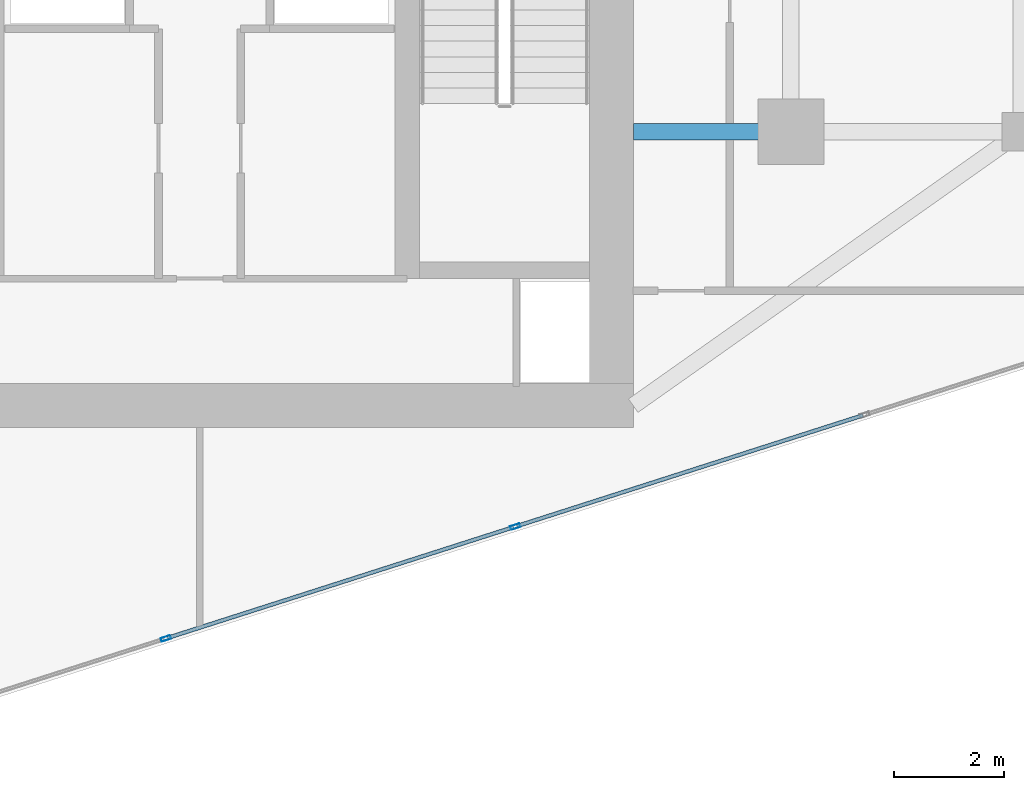
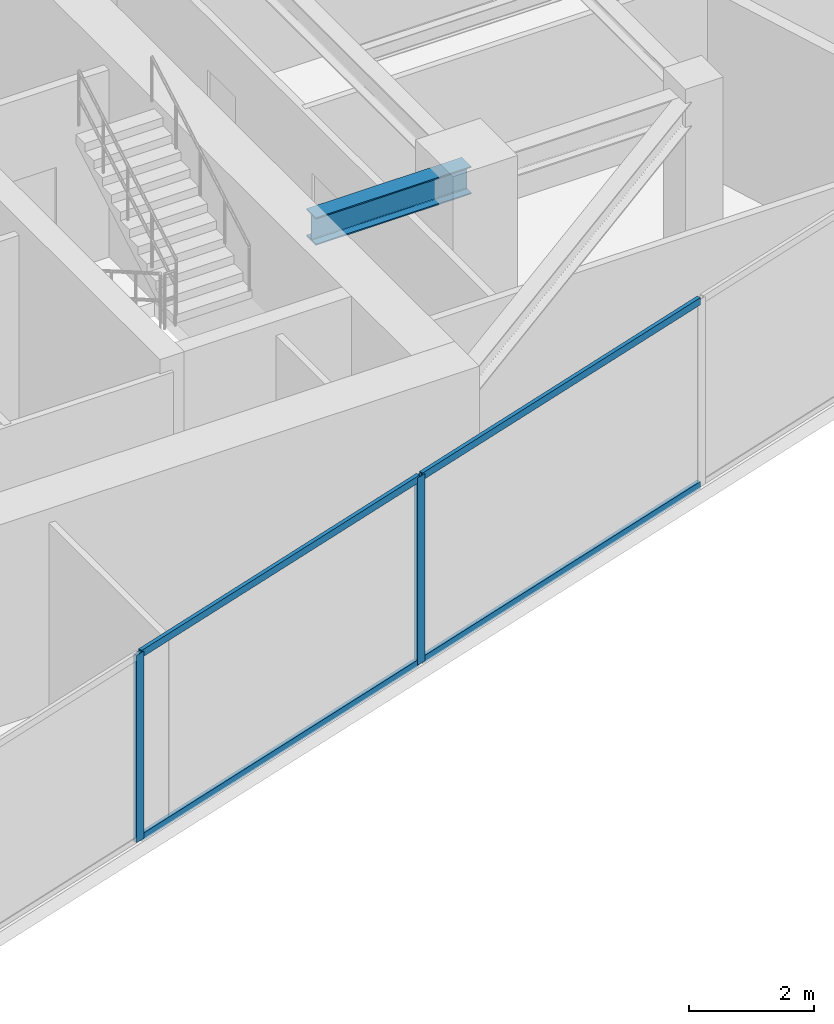
# One storey, part 4 of 21: 6 members, 1 beam, 1 element without a shape of its own.
"""IFC4 building model written with IfcOpenShell, lengths in metres."""

from ifc_helpers import new_model, si_unit, direction, frame, origin, origin_2d, place, context, subcontext, project, spatial, hollow_rectangle, i_section, extrude, source, transform, mapped, material, material_profile, profile_set, type_object, type_shapes, element, aggregate, save


model = new_model("IFC4")

# Units and contexts
model_context = context("Model", 3, precision=1e-05, world=origin(), true_north=direction((0.0, 1.0)))
body_context = subcontext(model_context, "Body", "Model", "MODEL_VIEW")
ifc_project = project(units=[si_unit("LENGTHUNIT", "METRE"), si_unit("AREAUNIT", "SQUARE_METRE"), si_unit("VOLUMEUNIT", "CUBIC_METRE"), si_unit("PLANEANGLEUNIT", "RADIAN"), si_unit("MASSUNIT", "GRAM", prefix="KILO")], contexts=[model_context])

# Site, building, storey
site_placement = place(None, origin())
site = spatial("IfcSite", under=ifc_project, at=site_placement, CompositionType="ELEMENT")
building_placement = place(site_placement, origin())
building = spatial("IfcBuilding", under=site, at=building_placement, Name="Krantzveldt Concourse Tower", CompositionType="ELEMENT")
storey_placement = place(building_placement, frame((0.0, 0.0, 339.550048828125)))
storey = spatial("IfcBuildingStorey", under=building, at=storey_placement, Name="L83", CompositionType="ELEMENT", Elevation=339.550048828125)

# Beam
ifc_material_1 = material(Name="Steel S355JR", Category="steel")
ifc_material_profile_1 = material_profile(ifc_material_1, i_section(OverallWidth=0.300048828125, OverallDepth=0.5400390625, WebThickness=0.012451171875, FlangeThickness=0.02392578125, FilletRadius=0.027099609375, at=origin_2d()), Name="Steel S355JR", Category="steel")
ifc_profile_set_1 = profile_set([ifc_material_profile_1], Name="Steel S355JR - HEA 550")
beam_type = type_object("IfcBeamType", Name="BM-B-HEA550", PredefinedType="BEAM", material=ifc_profile_set_1)
shared_shape_1 = source(origin(), body_context, "Body", "SweptSolid", [
    extrude(i_section(OverallWidth=0.300048828125, OverallDepth=0.5400390625, WebThickness=0.012451171875, FlangeThickness=0.02392578125, FilletRadius=0.027099609375, at=origin_2d()), origin(), (0.0, 0.0, 1.0), 2.880126953125),
])
type_shapes(beam_type, [shared_shape_1])
beam_placement = place(storey_placement, frame((43.919921875, 15.89990234375, 3.39990234375), z_axis=(1.0, 0.0, 0.0), x_axis=(0.0, 1.0, 0.0)))
element("IfcBeam", 1, at=beam_placement, inside=storey, type_object=beam_type, Name="L83 Tower Girder BG-CE1", PredefinedType="BEAM", context=body_context, shape_type="MappedRepresentation", body=[
    mapped(shared_shape_1, transform((0.0, 0.0, 0.0), x_axis=(1.0, 0.0, 0.0), y_axis=(0.0, 1.0, 0.0), z_axis=(0.0, 0.0, 1.0), scale=1.0)),
])

# Curtain wall, members
ifc_material_2 = material(Name="Anodised aluminium 6063-T6", Category="aluminium")
curtain_wall_type = type_object("IfcCurtainWallType", Name="CW4", PredefinedType="USERDEFINED", material=ifc_material_2)
curtain_wall_placement = place(storey_placement, origin())
curtain_wall = element("IfcCurtainWall", 2, at=curtain_wall_placement, inside=storey, type_object=curtain_wall_type, Name="CW-L83-F07", ObjectType="UNITISED CURTAIN WALL", PredefinedType="USERDEFINED")
ifc_material_profile_2 = material_profile(ifc_material_2, hollow_rectangle(XDim=0.070068359375, YDim=0.179931640625, WallThickness=0.0048828125, at=origin_2d()), Name="Anodised aluminium 6063-T6", Category="aluminium")
ifc_profile_set_2 = profile_set([ifc_material_profile_2], Name="Anodised aluminium 6063-T6 - ALU-MULL 180x70x5")
member_type_1 = type_object("IfcMemberType", Name="CW-MUL-180", PredefinedType="MULLION", material=ifc_profile_set_2)
shared_shape_2 = source(origin(), body_context, "Body", "SweptSolid", [
    extrude(hollow_rectangle(XDim=0.070068359375, YDim=0.179931640625, WallThickness=0.0048828125, at=origin_2d()), origin(), (0.0, 0.0, 1.0), 3.669921875),
])
type_shapes(member_type_1, [shared_shape_2])
member_1_placement = place(storey_placement, frame((35.384033203125, 6.647705078125, 0.0), z_axis=(0.0, 0.0, 1.0), x_axis=(-0.304864162408, 0.952395843376, 0.0)))
member_1 = element("IfcMember", 3, at=member_1_placement, type_object=member_type_1, Name="CW-Z56 mullion 2", PredefinedType="MULLION", context=body_context, shape_type="MappedRepresentation", body=[
    mapped(shared_shape_2, transform((0.0, 0.0, 0.0), x_axis=(1.0, 0.0, 0.0), y_axis=(0.0, 1.0, 0.0), z_axis=(0.0, 0.0, 1.0), scale=1.0)),
])
member_2_placement = place(storey_placement, frame((41.764892578125, 8.690185546875, 0.0), z_axis=(0.0, 0.0, 1.0), x_axis=(-0.304864162408, 0.952395843376, 0.0)))
member_2 = element("IfcMember", 4, at=member_2_placement, type_object=member_type_1, Name="CW-Z56 mullion 3", PredefinedType="MULLION", context=body_context, shape_type="MappedRepresentation", body=[
    mapped(shared_shape_2, transform((0.0, 0.0, 0.0), x_axis=(1.0, 0.0, 0.0), y_axis=(0.0, 1.0, 0.0), z_axis=(0.0, 0.0, 1.0), scale=1.0)),
])
ifc_material_profile_3 = material_profile(ifc_material_2, hollow_rectangle(XDim=0.070068359375, YDim=0.139892578125, WallThickness=0.0048828125, at=origin_2d()), Name="Anodised aluminium 6063-T6", Category="aluminium")
ifc_profile_set_3 = profile_set([ifc_material_profile_3], Name="Anodised aluminium 6063-T6 - ALU-TRAN 140x70x5")
member_type_2 = type_object("IfcMemberType", Name="CW-TRN-150", PredefinedType="USERDEFINED", material=ifc_profile_set_3)
shared_shape_3 = source(origin(), body_context, "Body", "SweptSolid", [
    extrude(hollow_rectangle(XDim=0.070068359375, YDim=0.139892578125, WallThickness=0.0048828125, at=origin_2d()), origin(), (0.0, 0.0, 1.0), 6.630126953125),
])
type_shapes(member_type_2, [shared_shape_3])
member_3_placement = place(storey_placement, frame((35.417236328125, 6.658203125, 0.034912109375), z_axis=(0.95239720744, 0.304859901036, 0.0), x_axis=(-0.304859901036, 0.95239720744, 0.0)))
member_3 = element("IfcMember", 5, at=member_3_placement, type_object=member_type_2, Name="CW-Z56 transom 2.1", ObjectType="TRANSOM", PredefinedType="USERDEFINED", context=body_context, shape_type="MappedRepresentation", body=[
    mapped(shared_shape_3, transform((0.0, 0.0, 0.0), x_axis=(1.0, 0.0, 0.0), y_axis=(0.0, 1.0, 0.0), z_axis=(0.0, 0.0, 1.0), scale=1.0)),
])
member_4_placement = place(storey_placement, frame((35.417236328125, 6.658203125, 3.635009765625), z_axis=(0.95239720744, 0.304859901036, 0.0), x_axis=(-0.304859901036, 0.95239720744, 0.0)))
member_4 = element("IfcMember", 6, at=member_4_placement, type_object=member_type_2, Name="CW-Z56 transom 2.2", ObjectType="TRANSOM", PredefinedType="USERDEFINED", context=body_context, shape_type="MappedRepresentation", body=[
    mapped(shared_shape_3, transform((0.0, 0.0, 0.0), x_axis=(1.0, 0.0, 0.0), y_axis=(0.0, 1.0, 0.0), z_axis=(0.0, 0.0, 1.0), scale=1.0)),
])
member_5_placement = place(storey_placement, frame((41.79833984375, 8.700927734375, 0.034912109375), z_axis=(0.95239720744, 0.304859901036, 0.0), x_axis=(-0.304859901036, 0.95239720744, 0.0)))
member_5 = element("IfcMember", 7, at=member_5_placement, type_object=member_type_2, Name="CW-Z56 transom 3.1", ObjectType="TRANSOM", PredefinedType="USERDEFINED", context=body_context, shape_type="MappedRepresentation", body=[
    mapped(shared_shape_3, transform((0.0, 0.0, 0.0), x_axis=(1.0, 0.0, 0.0), y_axis=(0.0, 1.0, 0.0), z_axis=(0.0, 0.0, 1.0), scale=1.0)),
])
member_6_placement = place(storey_placement, frame((41.79833984375, 8.700927734375, 3.635009765625), z_axis=(0.95239720744, 0.304859901036, 0.0), x_axis=(-0.304859901036, 0.95239720744, 0.0)))
member_6 = element("IfcMember", 8, at=member_6_placement, type_object=member_type_2, Name="CW-Z56 transom 3.2", ObjectType="TRANSOM", PredefinedType="USERDEFINED", context=body_context, shape_type="MappedRepresentation", body=[
    mapped(shared_shape_3, transform((0.0, 0.0, 0.0), x_axis=(1.0, 0.0, 0.0), y_axis=(0.0, 1.0, 0.0), z_axis=(0.0, 0.0, 1.0), scale=1.0)),
])
aggregate(curtain_wall, [member_1, member_2, member_3, member_4, member_5, member_6])

save(model, "model.ifc")
